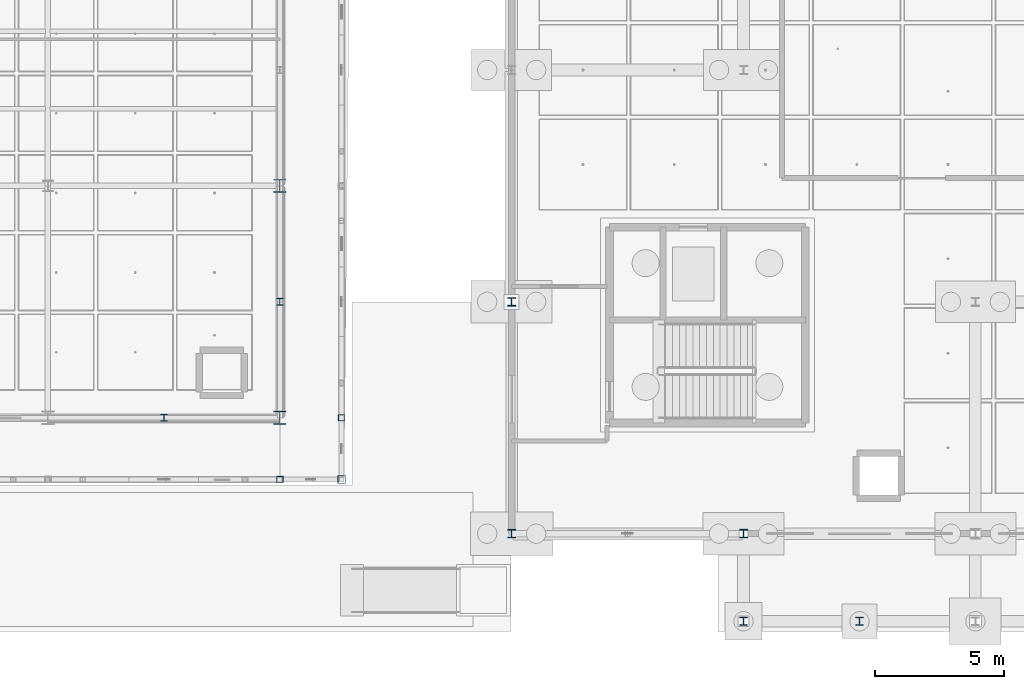
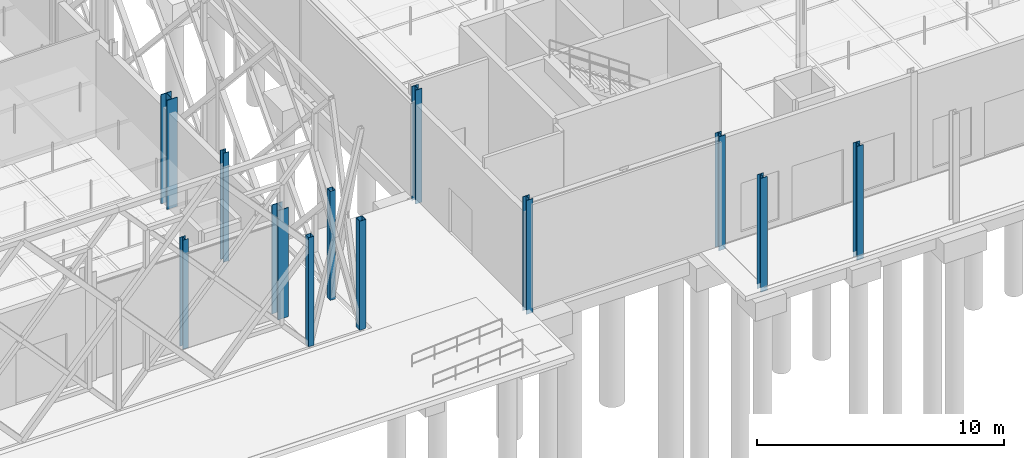
# One storey, part 11 of 180: 12 columns.
"""IFC4 building model written with IfcOpenShell, lengths in metres."""

from ifc_helpers import new_model, si_unit, direction, frame, origin, origin_2d, place, context, subcontext, project, spatial, hollow_rectangle, i_section, extrude, material, material_profile, profile_set, type_object, element, save


model = new_model("IFC4")

# Units and contexts
model_context = context("Model", 3, precision=1e-05, world=origin(), true_north=direction((0.0, 1.0)))
body_context = subcontext(model_context, "Body", "Model", "MODEL_VIEW")
ifc_project = project(units=[si_unit("LENGTHUNIT", "METRE"), si_unit("AREAUNIT", "SQUARE_METRE"), si_unit("VOLUMEUNIT", "CUBIC_METRE"), si_unit("PLANEANGLEUNIT", "RADIAN"), si_unit("MASSUNIT", "GRAM", prefix="KILO"), si_unit("THERMODYNAMICTEMPERATUREUNIT", "KELVIN"), si_unit("POWERUNIT", "WATT")], contexts=[model_context])

# Site, building, storey
site_placement = place(None, origin())
site = spatial("IfcSite", under=ifc_project, at=site_placement, CompositionType="ELEMENT")
building_placement = place(site_placement, origin())
building = spatial("IfcBuilding", under=site, at=building_placement, Name="Tallowbark Science Centre", CompositionType="ELEMENT")
storey_placement = place(building_placement, origin())
storey = spatial("IfcBuildingStorey", under=building, at=storey_placement, Name="L00", CompositionType="ELEMENT", Elevation=0.0)

# Columns
ifc_material_1 = material(Name="White Architectural Painted Steel Grade C350L0 (350 MPa)", Category="steel")
ifc_material_profile_1 = material_profile(ifc_material_1, hollow_rectangle(XDim=0.25, YDim=0.25, WallThickness=0.009033203125, at=origin_2d()), Name="250x250x9.0SHS")
ifc_profile_set_1 = profile_set([ifc_material_profile_1], Name="White Architectural Painted Steel Grade C350L0 (350 MPa)")
column_type_1 = type_object("IfcColumnType", Name="COL-SCR200", PredefinedType="COLUMN", material=ifc_profile_set_1)
for number, where, z_axis, x_axis, name in (
    (1, (103.5, 2.10009765625, 0.0), (0.0, 0.0, 1.0), (1.0, 0.0, 0.0), "Column SCR-S06 L00"),
    (2, (105.89990234375, 4.5, 0.0), (0.0, 0.0, 1.0), (1.0, 0.0, 0.0), "Column SCR-E01 L00"),
):
    element("IfcColumn", number, at=place(storey_placement, frame(where, z_axis=z_axis, x_axis=x_axis)), inside=storey, type_object=column_type_1, Name=name, PredefinedType="COLUMN", context=body_context, shape_type="SweptSolid", body=[
        extrude(hollow_rectangle(XDim=0.25, YDim=0.25, WallThickness=0.009033203125, at=origin_2d()), origin(), (0.0, 0.0, 1.0), 5.39990234375),
    ])
ifc_material_profile_2 = material_profile(ifc_material_1, hollow_rectangle(XDim=0.300048828125, YDim=0.300048828125, WallThickness=0.010009765625, at=origin_2d()), Name="300x300x10.0SHS")
ifc_profile_set_2 = profile_set([ifc_material_profile_2], Name="White Architectural Painted Steel Grade C350L0 (350 MPa)")
column_type_2 = type_object("IfcColumnType", Name="COL-SCR300", PredefinedType="COLUMN", material=ifc_profile_set_2)
column_placement = place(storey_placement, frame((105.89990234375, 2.10009765625, 0.0), z_axis=(0.0, 0.0, 1.0), x_axis=(1.0, 0.0, 0.0)))
element("IfcColumn", 3, at=column_placement, inside=storey, type_object=column_type_2, Name="Column SCR-S07 L00", PredefinedType="COLUMN", context=body_context, shape_type="SweptSolid", body=[
    extrude(hollow_rectangle(XDim=0.300048828125, YDim=0.300048828125, WallThickness=0.010009765625, at=origin_2d()), origin(), (0.0, 0.0, 1.0), 5.39990234375),
])
ifc_material_2 = material(Name="Structural Steel Grade 300PLUS (300 MPa)", Category="steel")
ifc_material_profile_3 = material_profile(ifc_material_2, i_section(OverallWidth=0.311279296875, OverallDepth=0.3271484375, WebThickness=0.015625, FlangeThickness=0.02490234375, FilletRadius=0.0166015625, at=origin_2d()), Name="310UC158")
ifc_profile_set_3 = profile_set([ifc_material_profile_3], Name="Structural Steel Grade 300PLUS (300 MPa)")
column_type_3 = type_object("IfcColumnType", Name="COL-UC310A", PredefinedType="COLUMN", material=ifc_profile_set_3)
for number, where, z_axis, x_axis, name in (
    (4, (112.5, 0.0, -0.239990234375), (0.0, 0.0, 1.0), (1.0, 0.0, 0.0), "Column THT-M0_0 L00"),
    (5, (112.5, 9.0, -0.239990234375), (0.0, 0.0, 1.0), (1.0, 0.0, 0.0), "Column THT-M0_1 L00"),
    (6, (121.5, 0.0, -0.239990234375), (0.0, 0.0, 1.0), (1.0, 0.0, 0.0), "Column THT-M1_0 L00"),
):
    element("IfcColumn", number, at=place(storey_placement, frame(where, z_axis=z_axis, x_axis=x_axis)), inside=storey, type_object=column_type_3, Name=name, PredefinedType="COLUMN", context=body_context, shape_type="SweptSolid", body=[
        extrude(i_section(OverallWidth=0.311279296875, OverallDepth=0.3271484375, WebThickness=0.015625, FlangeThickness=0.02490234375, FilletRadius=0.0166015625, at=origin_2d()), origin(), (0.0, 0.0, 1.0), 5.639892578125),
    ])
ifc_material_profile_4 = material_profile(ifc_material_2, i_section(OverallWidth=0.5, OverallDepth=0.513916015625, WebThickness=0.02197265625, FlangeThickness=0.031982421875, FilletRadius=0.01611328125, at=origin_2d()), Name="500WC340")
ifc_profile_set_4 = profile_set([ifc_material_profile_4], Name="Structural Steel Grade 300PLUS (300 MPa)")
column_type_4 = type_object("IfcColumnType", Name="COL-WC500", PredefinedType="COLUMN", material=ifc_profile_set_4)
for number, where, z_axis, x_axis, name in (
    (7, (103.5, 4.5, 0.0), (0.0, 0.0, 1.0), (1.0, 0.0, 0.0), "Column CUB-M5_0 L00"),
    (8, (103.5, 13.5, 0.0), (0.0, 0.0, 1.0), (1.0, 0.0, 0.0), "Column CUB-M5_1 L00"),
):
    element("IfcColumn", number, at=place(storey_placement, frame(where, z_axis=z_axis, x_axis=x_axis)), inside=storey, type_object=column_type_4, Name=name, PredefinedType="COLUMN", context=body_context, shape_type="SweptSolid", body=[
        extrude(i_section(OverallWidth=0.5, OverallDepth=0.513916015625, WebThickness=0.02197265625, FlangeThickness=0.031982421875, FilletRadius=0.01611328125, at=origin_2d()), origin(), (0.0, 0.0, 1.0), 5.39990234375),
    ])
ifc_material_profile_5 = material_profile(ifc_material_2, i_section(OverallWidth=0.256103515625, OverallDepth=0.260009765625, WebThickness=0.010498046875, FlangeThickness=0.017333984375, FilletRadius=0.013916015625, at=origin_2d()), Name="250UC89.5")
ifc_profile_set_5 = profile_set([ifc_material_profile_5], Name="Structural Steel Grade 300PLUS (300 MPa)")
column_type_5 = type_object("IfcColumnType", Name="PIL-UC250", PredefinedType="PILASTER", material=ifc_profile_set_5)
for number, where, z_axis, x_axis, name in (
    (9, (99.0, 4.5, 0.0), (0.0, 0.0, 1.0), (1.0, 0.0, 0.0), "Column CUB-PS-4 L00"),
    (10, (103.5, 9.0, 0.0), (0.0, 0.0, 1.0), (1.0, 0.0, 0.0), "Column CUB-PE-0 L00"),
):
    element("IfcColumn", number, at=place(storey_placement, frame(where, z_axis=z_axis, x_axis=x_axis)), inside=storey, type_object=column_type_5, Name=name, PredefinedType="PILASTER", context=body_context, shape_type="SweptSolid", body=[
        extrude(i_section(OverallWidth=0.256103515625, OverallDepth=0.260009765625, WebThickness=0.010498046875, FlangeThickness=0.017333984375, FilletRadius=0.013916015625, at=origin_2d()), origin(), (0.0, 0.0, 1.0), 5.39990234375),
    ])
ifc_material_profile_6 = material_profile(ifc_material_2, i_section(OverallWidth=0.307373046875, OverallDepth=0.314697265625, WebThickness=0.011962890625, FlangeThickness=0.018798828125, FilletRadius=0.0166015625, at=origin_2d()), Name="310UC118")
ifc_profile_set_6 = profile_set([ifc_material_profile_6], Name="Structural Steel Grade 300PLUS (300 MPa)")
column_type_6 = type_object("IfcColumnType", Name="PIL-UC310", PredefinedType="PILASTER", material=ifc_profile_set_6)
for number, where, z_axis, x_axis, name in (
    (11, (121.5, -3.39990234375, -0.239990234375), (0.0, 0.0, 1.0), (1.0, 0.0, 0.0), "Column THT-POR-00 L00"),
    (12, (126.0, -3.39990234375, -0.239990234375), (0.0, 0.0, 1.0), (1.0, 0.0, 0.0), "Column THT-POR-01 L00"),
):
    element("IfcColumn", number, at=place(storey_placement, frame(where, z_axis=z_axis, x_axis=x_axis)), inside=storey, type_object=column_type_6, Name=name, PredefinedType="PILASTER", context=body_context, shape_type="SweptSolid", body=[
        extrude(i_section(OverallWidth=0.307373046875, OverallDepth=0.314697265625, WebThickness=0.011962890625, FlangeThickness=0.018798828125, FilletRadius=0.0166015625, at=origin_2d()), origin(), (0.0, 0.0, 1.0), 5.639892578125),
    ])

save(model, "model.ifc")
